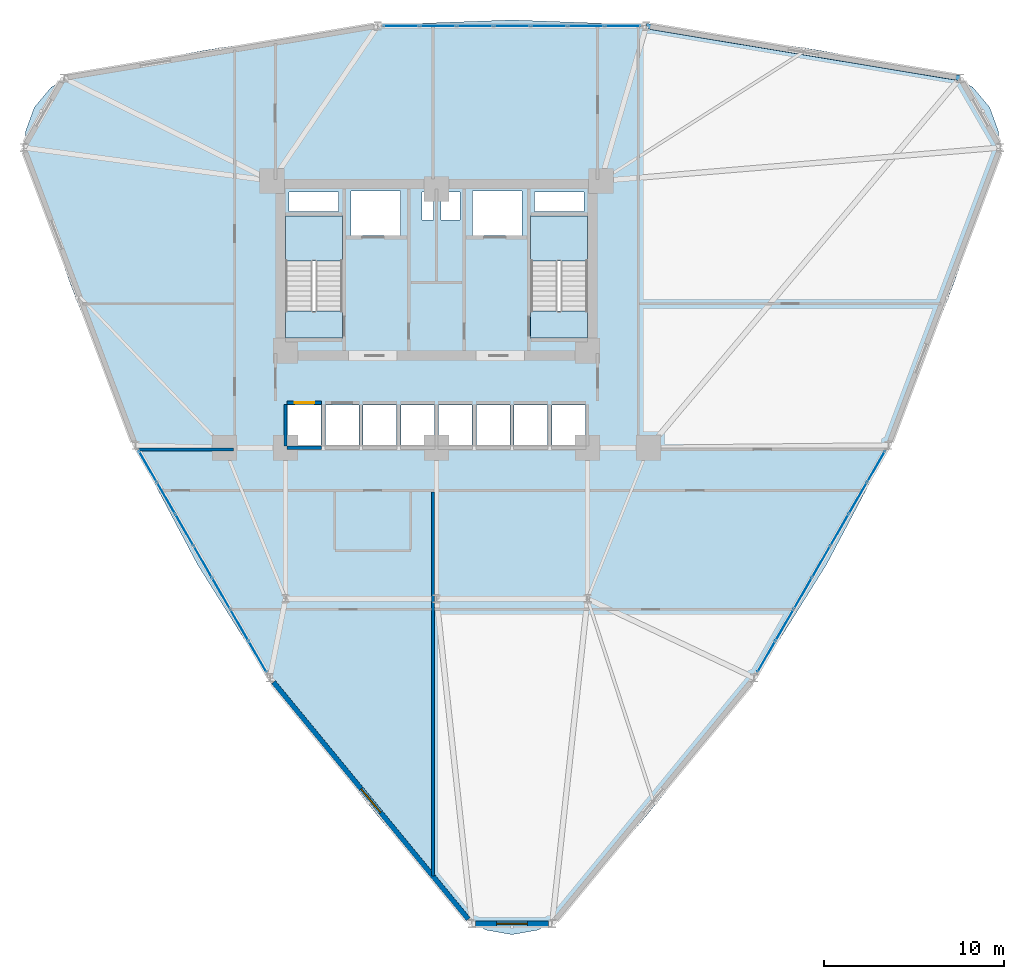
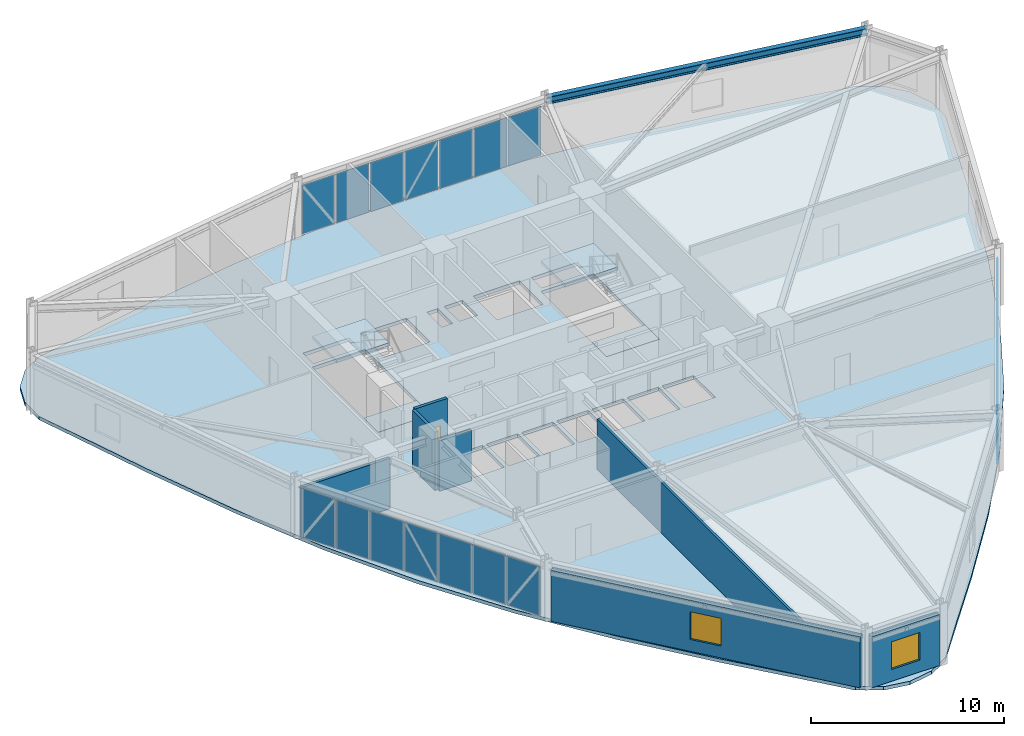
# One storey, part 13 of 20: 21 plates, 7 walls, 5 slabs, 2 windows, 1 beam, 1 door, 3 openings, 5 elements without a shape of their own.
"""IFC4 building model written with IfcOpenShell, lengths in metres."""

from ifc_helpers import new_model, si_unit, derived_unit, direction, frame, frame_2d, origin, origin_2d, place, context, subcontext, project, spatial, polyline, rectangle, i_section, outline, extrude, source, transform, mapped, material, layer, layer_set, material_profile, profile_set, type_object, element, fill, aggregate, save


model = new_model("IFC4")

# Units and contexts
model_context = context("Model", 3, precision=1e-05, world=origin(), true_north=direction((0.0, 1.0)))
body_context = subcontext(model_context, "Body", "Model", "MODEL_VIEW")
ifc_project = project(units=[si_unit("LENGTHUNIT", "METRE"), si_unit("AREAUNIT", "SQUARE_METRE"), si_unit("VOLUMEUNIT", "CUBIC_METRE"), si_unit("PLANEANGLEUNIT", "RADIAN"), si_unit("MASSUNIT", "GRAM", prefix="KILO"), derived_unit("THERMALTRANSMITTANCEUNIT", [(si_unit("POWERUNIT", "WATT"), 1), (si_unit("LENGTHUNIT", "METRE"), -2), (si_unit("THERMODYNAMICTEMPERATUREUNIT", "KELVIN"), -1)])], contexts=[model_context])

# Site, building, storey
site_placement = place(None, origin())
site = spatial("IfcSite", under=ifc_project, at=site_placement, CompositionType="ELEMENT")
building_placement = place(site_placement, origin())
building = spatial("IfcBuilding", under=site, at=building_placement, Name="Korsvarv Bourse and Concert Hall", CompositionType="ELEMENT")
storey_placement = place(building_placement, frame((0.0, 0.0, 79.5)))
storey = spatial("IfcBuildingStorey", under=building, at=storey_placement, Name="L19", CompositionType="ELEMENT", Elevation=79.5)

# Beam
ifc_material_1 = material(Name="Steel S355", Category="steel")
ifc_material_profile = material_profile(ifc_material_1, i_section(OverallWidth=0.300048828125, OverallDepth=0.449951171875, WebThickness=0.013916015625, FlangeThickness=0.02587890625, FilletRadius=0.02099609375, at=origin_2d()), Name="HEB 450")
ifc_profile_set = profile_set([ifc_material_profile], Name="Steel S355")
beam_type = type_object("IfcBeamType", Name="BM-HEB450", PredefinedType="SPANDREL", material=ifc_profile_set)
shared_shape_1 = source(origin(), body_context, "Body", "SweptSolid", [
    extrude(i_section(OverallWidth=0.300048828125, OverallDepth=0.449951171875, WebThickness=0.013916015625, FlangeThickness=0.02587890625, FilletRadius=0.02099609375, at=origin_2d()), origin(), (0.0, 0.0, 1.0), 17.69775390625),
])
beam_placement = place(storey_placement, frame((65.1279296875, 52.971923828125, 3.455078125), z_axis=(-0.986522993276, 0.163622687109, 0.0), x_axis=(-0.163622687109, -0.986522993276, 0.0)))
element("IfcBeam", 1, at=beam_placement, inside=storey, type_object=beam_type, Name="L19 beam B-08", PredefinedType="SPANDREL", context=body_context, shape_type="MappedRepresentation", body=[
    mapped(shared_shape_1, transform((0.0, 0.0, 0.0), scale=1.0)),
])

# Slabs
ifc_material_2 = material(Name="Precast concrete C45/55", Category="concrete")
ifc_layer_1 = layer(ifc_material_2, 0.199951171875)
ifc_layer_set_1 = layer_set([ifc_layer_1], Name="Precast concrete C45/55")
slab_type_1 = type_object("IfcSlabType", Name="SLB-FLND-T", PredefinedType="LANDING", material=ifc_layer_set_1)
slab_1_placement = place(storey_placement, frame((0.0, 0.0, -0.199951171875)))
element("IfcSlab", 2, at=slab_1_placement, inside=storey, type_object=slab_type_1, Name="L19 Stair ST-T1 Floor Landing Slab", PredefinedType="LANDING", context=body_context, shape_type="SweptSolid", body=[
    extrude(outline(polyline([(30.760009765625, 38.5), (30.760009765625, 40.0), (27.60009765625, 40.0), (27.60009765625, 38.5), (30.760009765625, 38.5)])), origin(), (0.0, 0.0, 1.0), 0.199951171875),
])
slab_2_placement = place(storey_placement, frame((0.0, 0.0, -0.199951171875)))
element("IfcSlab", 3, at=slab_2_placement, inside=storey, type_object=slab_type_1, Name="L19 Stair ST-T2 Floor Landing Slab", PredefinedType="LANDING", context=body_context, shape_type="SweptSolid", body=[
    extrude(outline(polyline([(44.39990234375, 38.5), (44.39990234375, 40.0), (41.239990234375, 40.0), (41.239990234375, 38.5), (44.39990234375, 38.5)])), origin(), (0.0, 0.0, 1.0), 0.199951171875),
])

# Stair, slab
stair_type = type_object("IfcStairType", Name="STR-TYPE-03", PredefinedType="HALF_TURN_STAIR", material=ifc_material_2)
stair_1_placement = place(storey_placement, origin())
stair_1 = element("IfcStair", 4, at=stair_1_placement, inside=storey, type_object=stair_type, Name="L19 Tower West Exit Stair ST-T1", PredefinedType="HALF_TURN_STAIR")
ifc_layer_2 = layer(ifc_material_2, 0.199951171875)
ifc_layer_set_2 = layer_set([ifc_layer_2], Name="Precast concrete C45/55")
slab_type_2 = type_object("IfcSlabType", Name="SLB-ST-LND", PredefinedType="LANDING", material=ifc_layer_set_2)
slab_3_placement = place(storey_placement, frame((0.0, 0.0, 1.75)))
slab_3 = element("IfcSlab", 5, at=slab_3_placement, type_object=slab_type_2, Name="ST-T1 landing 1", PredefinedType="LANDING", context=body_context, shape_type="SweptSolid", body=[
    extrude(outline(polyline([(30.760009765625, 42.800048828125), (30.760009765625, 45.300048828125), (27.60009765625, 45.300048828125), (27.60009765625, 42.800048828125), (30.760009765625, 42.800048828125)])), origin(), (0.0, 0.0, 1.0), 0.199951171875),
])
aggregate(stair_1, [slab_3])

stair_2_placement = place(storey_placement, origin())
stair_2 = element("IfcStair", 6, at=stair_2_placement, inside=storey, type_object=stair_type, Name="L19 Tower East Exit Stair ST-T2", PredefinedType="HALF_TURN_STAIR")
slab_4_placement = place(storey_placement, frame((0.0, 0.0, 1.75)))
slab_4 = element("IfcSlab", 7, at=slab_4_placement, type_object=slab_type_2, Name="ST-T2 landing 1", PredefinedType="LANDING", context=body_context, shape_type="SweptSolid", body=[
    extrude(outline(polyline([(44.39990234375, 42.800048828125), (44.39990234375, 45.300048828125), (41.239990234375, 45.300048828125), (41.239990234375, 42.800048828125), (44.39990234375, 42.800048828125)])), origin(), (0.0, 0.0, 1.0), 0.199951171875),
])
aggregate(stair_2, [slab_4])

# Slab
ifc_material_3 = material(Name="Concrete C45/55", Category="concrete")
ifc_layer_3 = layer(ifc_material_3, 0.219970703125)
ifc_layer_set_3 = layer_set([ifc_layer_3], Name="Concrete C45/55")
slab_type_3 = type_object("IfcSlabType", Name="SLB-TW1", PredefinedType="FLOOR", material=ifc_layer_set_3)
slab_5_placement = place(storey_placement, frame((0.0, 0.0, -0.219970703125)))
element("IfcSlab", 8, at=slab_5_placement, inside=storey, type_object=slab_type_3, Name="L19 tower structural floor slab", PredefinedType="FLOOR", context=body_context, shape_type="SweptSolid", body=[
    extrude(outline(polyline([(66.72119140625, 46.99462890625), (64.767822265625, 41.513427734375), (62.68408203125, 36.133056640625), (60.353271484375, 30.916015625), (57.695556640625, 25.89892578125), (54.679443359375, 21.0888671875), (51.326904296875, 16.461669921875), (47.708984375, 11.966796875), (43.939208984375, 7.53466796875), (43.935302734375, 7.530029296875), (42.8984375, 6.29443359375), (41.6357421875, 5.5654296875), (40.199951171875, 5.312255859375), (38.76416015625, 5.5654296875), (37.501708984375, 6.29443359375), (36.464599609375, 7.530029296875), (36.4609375, 7.53466796875), (32.69091796875, 11.966796875), (29.0732421875, 16.461669921875), (25.720458984375, 21.0888671875), (22.70458984375, 25.89892578125), (20.046875, 30.916015625), (17.7158203125, 36.133056640625), (15.632080078125, 41.513427734375), (13.6787109375, 46.99462890625), (13.6767578125, 47.000244140625), (13.125, 48.51611328125), (13.125, 49.973876953125), (13.623779296875, 51.34375), (14.560791015625, 52.460693359375), (15.823486328125, 53.189697265625), (17.412109375, 53.4697265625), (17.417724609375, 53.470703125), (23.141357421875, 54.51953125), (28.842529296875, 55.4052734375), (34.5263671875, 55.995361328125), (40.199951171875, 56.201904296875), (45.873779296875, 55.995361328125), (51.557373046875, 55.4052734375), (57.2587890625, 54.51953125), (62.982177734375, 53.470703125), (62.988037109375, 53.4697265625), (64.57666015625, 53.189697265625), (65.839111328125, 52.460693359375), (66.7763671875, 51.34375), (67.27490234375, 49.973876953125), (67.27490234375, 48.51611328125), (66.723388671875, 47.000244140625), (66.72119140625, 46.99462890625)]), holes=[polyline([(30.760009765625, 38.5), (30.760009765625, 45.300048828125), (27.60009765625, 45.300048828125), (27.60009765625, 38.5), (30.760009765625, 38.5)]), polyline([(44.39990234375, 38.5), (44.39990234375, 45.300048828125), (41.239990234375, 45.300048828125), (41.239990234375, 38.5), (44.39990234375, 38.5)]), polyline([(31.239990234375, 44.219970703125), (34.0, 44.219970703125), (34.0, 46.679931640625), (31.239990234375, 46.679931640625), (31.239990234375, 44.219970703125)]), polyline([(38.0, 44.219970703125), (40.760009765625, 44.219970703125), (40.760009765625, 46.679931640625), (38.0, 46.679931640625), (38.0, 44.219970703125)]), polyline([(27.719970703125, 32.52001953125), (29.580078125, 32.52001953125), (29.580078125, 34.780029296875), (27.719970703125, 34.780029296875), (27.719970703125, 32.52001953125)]), polyline([(29.820068359375, 32.52001953125), (31.679931640625, 32.52001953125), (31.679931640625, 34.780029296875), (29.820068359375, 34.780029296875), (29.820068359375, 32.52001953125)]), polyline([(31.919921875, 32.52001953125), (33.780029296875, 32.52001953125), (33.780029296875, 34.780029296875), (31.919921875, 34.780029296875), (31.919921875, 32.52001953125)]), polyline([(34.02001953125, 32.52001953125), (35.8798828125, 32.52001953125), (35.8798828125, 34.780029296875), (34.02001953125, 34.780029296875), (34.02001953125, 32.52001953125)]), polyline([(36.1201171875, 32.52001953125), (37.97998046875, 32.52001953125), (37.97998046875, 34.780029296875), (36.1201171875, 34.780029296875), (36.1201171875, 32.52001953125)]), polyline([(38.219970703125, 32.52001953125), (40.080078125, 32.52001953125), (40.080078125, 34.780029296875), (38.219970703125, 34.780029296875), (38.219970703125, 32.52001953125)]), polyline([(40.320068359375, 32.52001953125), (42.179931640625, 32.52001953125), (42.179931640625, 34.780029296875), (40.320068359375, 34.780029296875), (40.320068359375, 32.52001953125)]), polyline([(42.419921875, 32.52001953125), (44.280029296875, 32.52001953125), (44.280029296875, 34.780029296875), (42.419921875, 34.780029296875), (42.419921875, 32.52001953125)]), polyline([(27.800048828125, 45.56005859375), (30.56005859375, 45.56005859375), (30.56005859375, 46.6201171875), (27.800048828125, 46.6201171875), (27.800048828125, 45.56005859375)]), polyline([(41.43994140625, 45.56005859375), (44.199951171875, 45.56005859375), (44.199951171875, 46.6201171875), (41.43994140625, 46.6201171875), (41.43994140625, 45.56005859375)]), polyline([(35.199951171875, 45.080078125), (35.840087890625, 45.080078125), (35.840087890625, 46.6201171875), (35.199951171875, 46.6201171875), (35.199951171875, 45.080078125)]), polyline([(36.239990234375, 45.080078125), (37.320068359375, 45.080078125), (37.320068359375, 46.6201171875), (36.239990234375, 46.6201171875), (36.239990234375, 45.080078125)])]), origin(), (0.0, 0.0, 1.0), 0.219970703125),
])

# Curtain wall, plates
ifc_material_4 = material(Name="Anodised aluminium and triple low-E glazing", Category="glass")
ifc_layer_4 = layer(ifc_material_4, 0.219970703125)
ifc_layer_set_4 = layer_set([ifc_layer_4], Name="Anodised aluminium and triple low-E glazing")
curtain_wall_type = type_object("IfcCurtainWallType", Name="CW-SYS-1", PredefinedType="NOTDEFINED", material=ifc_layer_set_4)
curtain_wall_1_placement = place(storey_placement, origin())
curtain_wall_1 = element("IfcCurtainWall", 9, at=curtain_wall_1_placement, inside=storey, type_object=curtain_wall_type, Name="L19 CW1 curtain wall CW-L19-F03", PredefinedType="NOTDEFINED")
ifc_material_5 = material(Name="Insulated spandrel glass", Category="glass")
ifc_layer_5 = layer(ifc_material_5, 0.031982421875)
ifc_layer_set_5 = layer_set([ifc_layer_5], Name="Insulated spandrel glass")
plate_type_1 = type_object("IfcPlateType", Name="CWP-SPD1", PredefinedType="CURTAIN_PANEL", material=ifc_layer_set_5)
shared_shape_2 = source(origin(), body_context, "Body", "SweptSolid", [
    extrude(rectangle(XDim=1.9541015625, YDim=0.031982421875, at=origin_2d()), origin(), (0.0, 0.0, 1.0), 3.10009765625),
])
plate_1_placement = place(storey_placement, frame((46.359619140625, 55.86767578125, 0.06494140625), z_axis=(0.0, 0.0, 1.0), x_axis=(-1.0, 0.0, 0.0)))
plate_1 = element("IfcPlate", 10, at=plate_1_placement, type_object=plate_type_1, Name="CW1 spandrel shadow-box panel 1.1", PredefinedType="CURTAIN_PANEL", context=body_context, shape_type="MappedRepresentation", body=[
    mapped(shared_shape_2, transform((0.0, 0.0, 0.0), scale=1.0)),
])
plate_2_placement = place(storey_placement, frame((34.040283203125, 55.86767578125, 0.06494140625), z_axis=(0.0, 0.0, 1.0), x_axis=(-1.0, 0.0, 0.0)))
plate_2 = element("IfcPlate", 11, at=plate_2_placement, type_object=plate_type_1, Name="CW1 spandrel shadow-box panel 7.1", PredefinedType="CURTAIN_PANEL", context=body_context, shape_type="MappedRepresentation", body=[
    mapped(shared_shape_2, transform((0.0, 0.0, 0.0), scale=1.0)),
])
ifc_material_6 = material(Name="Tempered triple insulated low-E architectural glass", Category="glass")
ifc_layer_6 = layer(ifc_material_6, 0.035888671875)
ifc_layer_set_6 = layer_set([ifc_layer_6], Name="Tempered triple insulated low-E architectural glass")
plate_type_2 = type_object("IfcPlateType", Name="CWP-VIS1", PredefinedType="CURTAIN_PANEL", material=ifc_layer_set_6)
shared_shape_3 = source(origin(), body_context, "Body", "SweptSolid", [
    extrude(rectangle(XDim=1.989013671875, YDim=0.035888671875, at=origin_2d()), origin(), (0.0, 0.0, 1.0), 3.10009765625),
])
plate_3_placement = place(storey_placement, frame((44.318115234375, 55.86767578125, 0.06494140625), z_axis=(0.0, 0.0, 1.0), x_axis=(-1.0, 0.0, 0.0)))
plate_3 = element("IfcPlate", 12, at=plate_3_placement, type_object=plate_type_2, Name="CW1 faceted panel 2.1", PredefinedType="CURTAIN_PANEL", context=body_context, shape_type="MappedRepresentation", body=[
    mapped(shared_shape_3, transform((0.0, 0.0, 0.0), scale=1.0)),
])
plate_4_placement = place(storey_placement, frame((42.259033203125, 55.86767578125, 0.06494140625), z_axis=(0.0, 0.0, 1.0), x_axis=(-1.0, 0.0, 0.0)))
plate_4 = element("IfcPlate", 13, at=plate_4_placement, type_object=plate_type_2, Name="CW1 faceted panel 3.1", PredefinedType="CURTAIN_PANEL", context=body_context, shape_type="MappedRepresentation", body=[
    mapped(shared_shape_3, transform((0.0, 0.0, 0.0), scale=1.0)),
])
plate_5_placement = place(storey_placement, frame((38.140869140625, 55.86767578125, 0.06494140625), z_axis=(0.0, 0.0, 1.0), x_axis=(-1.0, 0.0, 0.0)))
plate_5 = element("IfcPlate", 14, at=plate_5_placement, type_object=plate_type_2, Name="CW1 faceted panel 5.1", PredefinedType="CURTAIN_PANEL", context=body_context, shape_type="MappedRepresentation", body=[
    mapped(shared_shape_3, transform((0.0, 0.0, 0.0), scale=1.0)),
])
plate_6_placement = place(storey_placement, frame((36.081787109375, 55.86767578125, 0.06494140625), z_axis=(0.0, 0.0, 1.0), x_axis=(-1.0, 0.0, 0.0)))
plate_6 = element("IfcPlate", 15, at=plate_6_placement, type_object=plate_type_2, Name="CW1 faceted panel 6.1", PredefinedType="CURTAIN_PANEL", context=body_context, shape_type="MappedRepresentation", body=[
    mapped(shared_shape_3, transform((0.0, 0.0, 0.0), scale=1.0)),
])
shared_shape_4 = source(origin(), body_context, "Body", "SweptSolid", [
    extrude(rectangle(XDim=1.989013671875, YDim=0.031982421875, at=origin_2d()), origin(), (0.0, 0.0, 1.0), 3.10009765625),
])
plate_7_placement = place(storey_placement, frame((40.199951171875, 55.86767578125, 0.06494140625), z_axis=(0.0, 0.0, 1.0), x_axis=(-1.0, 0.0, 0.0)))
plate_7 = element("IfcPlate", 16, at=plate_7_placement, type_object=plate_type_1, Name="CW1 spandrel shadow-box panel 4.1", PredefinedType="CURTAIN_PANEL", context=body_context, shape_type="MappedRepresentation", body=[
    mapped(shared_shape_4, transform((0.0, 0.0, 0.0), scale=1.0)),
])
aggregate(curtain_wall_1, [plate_1, plate_3, plate_4, plate_7, plate_5, plate_6, plate_2])

curtain_wall_2_placement = place(storey_placement, origin())
curtain_wall_2 = element("IfcCurtainWall", 17, at=curtain_wall_2_placement, inside=storey, type_object=curtain_wall_type, Name="L19 CW1 curtain wall CW-L19-F07", PredefinedType="NOTDEFINED")
shared_shape_5 = source(origin(), body_context, "Body", "SweptSolid", [
    extrude(rectangle(XDim=1.934326171875, YDim=0.031982421875, at=origin_2d()), origin(), (0.0, 0.0, 1.0), 3.10009765625),
])
plate_8_placement = place(storey_placement, frame((19.94384765625, 31.34912109375, 0.06494140625), z_axis=(0.0, 0.0, 1.0), x_axis=(0.500002009023, -0.866024243871, 0.0)))
plate_8 = element("IfcPlate", 18, at=plate_8_placement, type_object=plate_type_1, Name="CW1 spandrel shadow-box panel 1.1", PredefinedType="CURTAIN_PANEL", context=body_context, shape_type="MappedRepresentation", body=[
    mapped(shared_shape_5, transform((0.0, 0.0, 0.0), scale=1.0)),
])
plate_9_placement = place(storey_placement, frame((26.044189453125, 20.783203125, 0.06494140625), z_axis=(0.0, 0.0, 1.0), x_axis=(0.500002009023, -0.866024243871, 0.0)))
plate_9 = element("IfcPlate", 19, at=plate_9_placement, type_object=plate_type_1, Name="CW1 spandrel shadow-box panel 7.1", PredefinedType="CURTAIN_PANEL", context=body_context, shape_type="MappedRepresentation", body=[
    mapped(shared_shape_5, transform((0.0, 0.0, 0.0), scale=1.0)),
])

curtain_wall_3_placement = place(storey_placement, origin())
curtain_wall_3 = element("IfcCurtainWall", 20, at=curtain_wall_3_placement, inside=storey, type_object=curtain_wall_type, Name="L19 CW1 curtain wall CW-L19-F11", PredefinedType="NOTDEFINED")
plate_10_placement = place(storey_placement, frame((54.35595703125, 20.783203125, 0.06494140625), z_axis=(0.0, 0.0, 1.0), x_axis=(0.500002009023, 0.866024243871, 0.0)))
plate_10 = element("IfcPlate", 21, at=plate_10_placement, type_object=plate_type_1, Name="CW1 spandrel shadow-box panel 1.1", PredefinedType="CURTAIN_PANEL", context=body_context, shape_type="MappedRepresentation", body=[
    mapped(shared_shape_5, transform((0.0, 0.0, 0.0), scale=1.0)),
])
plate_11_placement = place(storey_placement, frame((60.4560546875, 31.34912109375, 0.06494140625), z_axis=(0.0, 0.0, 1.0), x_axis=(0.500002009023, 0.866024243871, 0.0)))
plate_11 = element("IfcPlate", 22, at=plate_11_placement, type_object=plate_type_1, Name="CW1 spandrel shadow-box panel 7.1", PredefinedType="CURTAIN_PANEL", context=body_context, shape_type="MappedRepresentation", body=[
    mapped(shared_shape_5, transform((0.0, 0.0, 0.0), scale=1.0)),
])

# Plate
shared_shape_6 = source(origin(), body_context, "Body", "SweptSolid", [
    extrude(rectangle(XDim=1.96923828125, YDim=0.035888671875, at=origin_2d()), origin(), (0.0, 0.0, 1.0), 3.10009765625),
])
plate_12_placement = place(storey_placement, frame((20.954833984375, 29.59814453125, 0.06494140625), z_axis=(0.0, 0.0, 1.0), x_axis=(0.500002009023, -0.866024243871, 0.0)))
plate_12 = element("IfcPlate", 23, at=plate_12_placement, type_object=plate_type_2, Name="CW1 faceted panel 2.1", PredefinedType="CURTAIN_PANEL", context=body_context, shape_type="MappedRepresentation", body=[
    mapped(shared_shape_6, transform((0.0, 0.0, 0.0), scale=1.0)),
])

plate_13_placement = place(storey_placement, frame((21.974365234375, 27.832275390625, 0.06494140625), z_axis=(0.0, 0.0, 1.0), x_axis=(0.500002009023, -0.866024243871, 0.0)))
plate_13 = element("IfcPlate", 24, at=plate_13_placement, type_object=plate_type_2, Name="CW1 faceted panel 3.1", PredefinedType="CURTAIN_PANEL", context=body_context, shape_type="MappedRepresentation", body=[
    mapped(shared_shape_6, transform((0.0, 0.0, 0.0), scale=1.0)),
])

plate_14_placement = place(storey_placement, frame((24.013671875, 24.300048828125, 0.06494140625), z_axis=(0.0, 0.0, 1.0), x_axis=(0.500002009023, -0.866024243871, 0.0)))
plate_14 = element("IfcPlate", 25, at=plate_14_placement, type_object=plate_type_2, Name="CW1 faceted panel 5.1", PredefinedType="CURTAIN_PANEL", context=body_context, shape_type="MappedRepresentation", body=[
    mapped(shared_shape_6, transform((0.0, 0.0, 0.0), scale=1.0)),
])

plate_15_placement = place(storey_placement, frame((25.033203125, 22.5341796875, 0.06494140625), z_axis=(0.0, 0.0, 1.0), x_axis=(0.500002009023, -0.866024243871, 0.0)))
plate_15 = element("IfcPlate", 26, at=plate_15_placement, type_object=plate_type_2, Name="CW1 faceted panel 6.1", PredefinedType="CURTAIN_PANEL", context=body_context, shape_type="MappedRepresentation", body=[
    mapped(shared_shape_6, transform((0.0, 0.0, 0.0), scale=1.0)),
])

plate_16_placement = place(storey_placement, frame((55.36669921875, 22.5341796875, 0.06494140625), z_axis=(0.0, 0.0, 1.0), x_axis=(0.500002009023, 0.866024243871, 0.0)))
plate_16 = element("IfcPlate", 27, at=plate_16_placement, type_object=plate_type_2, Name="CW1 faceted panel 2.1", PredefinedType="CURTAIN_PANEL", context=body_context, shape_type="MappedRepresentation", body=[
    mapped(shared_shape_6, transform((0.0, 0.0, 0.0), scale=1.0)),
])

plate_17_placement = place(storey_placement, frame((56.38623046875, 24.300048828125, 0.06494140625), z_axis=(0.0, 0.0, 1.0), x_axis=(0.500002009023, 0.866024243871, 0.0)))
plate_17 = element("IfcPlate", 28, at=plate_17_placement, type_object=plate_type_2, Name="CW1 faceted panel 3.1", PredefinedType="CURTAIN_PANEL", context=body_context, shape_type="MappedRepresentation", body=[
    mapped(shared_shape_6, transform((0.0, 0.0, 0.0), scale=1.0)),
])

plate_18_placement = place(storey_placement, frame((58.425537109375, 27.832275390625, 0.06494140625), z_axis=(0.0, 0.0, 1.0), x_axis=(0.500002009023, 0.866024243871, 0.0)))
plate_18 = element("IfcPlate", 29, at=plate_18_placement, type_object=plate_type_2, Name="CW1 faceted panel 5.1", PredefinedType="CURTAIN_PANEL", context=body_context, shape_type="MappedRepresentation", body=[
    mapped(shared_shape_6, transform((0.0, 0.0, 0.0), scale=1.0)),
])

plate_19_placement = place(storey_placement, frame((59.445068359375, 29.59814453125, 0.06494140625), z_axis=(0.0, 0.0, 1.0), x_axis=(0.500002009023, 0.866024243871, 0.0)))
plate_19 = element("IfcPlate", 30, at=plate_19_placement, type_object=plate_type_2, Name="CW1 faceted panel 6.1", PredefinedType="CURTAIN_PANEL", context=body_context, shape_type="MappedRepresentation", body=[
    mapped(shared_shape_6, transform((0.0, 0.0, 0.0), scale=1.0)),
])

shared_shape_7 = source(origin(), body_context, "Body", "SweptSolid", [
    extrude(rectangle(XDim=1.96923828125, YDim=0.031982421875, at=origin_2d()), origin(), (0.0, 0.0, 1.0), 3.10009765625),
])
plate_20_placement = place(storey_placement, frame((22.994140625, 26.066162109375, 0.06494140625), z_axis=(0.0, 0.0, 1.0), x_axis=(0.500002009023, -0.866024243871, 0.0)))
plate_20 = element("IfcPlate", 31, at=plate_20_placement, type_object=plate_type_1, Name="CW1 spandrel shadow-box panel 4.1", PredefinedType="CURTAIN_PANEL", context=body_context, shape_type="MappedRepresentation", body=[
    mapped(shared_shape_7, transform((0.0, 0.0, 0.0), scale=1.0)),
])

aggregate(curtain_wall_2, [plate_8, plate_12, plate_13, plate_20, plate_14, plate_15, plate_9])

plate_21_placement = place(storey_placement, frame((57.406005859375, 26.066162109375, 0.06494140625), z_axis=(0.0, 0.0, 1.0), x_axis=(0.500002009023, 0.866024243871, 0.0)))
plate_21 = element("IfcPlate", 32, at=plate_21_placement, type_object=plate_type_1, Name="CW1 spandrel shadow-box panel 4.1", PredefinedType="CURTAIN_PANEL", context=body_context, shape_type="MappedRepresentation", body=[
    mapped(shared_shape_7, transform((0.0, 0.0, 0.0), scale=1.0)),
])

aggregate(curtain_wall_3, [plate_10, plate_16, plate_17, plate_21, plate_18, plate_19, plate_11])

# Wall, opening, window
ifc_material_7 = material(Name="Precast concrete C45/55 with terracotta rainscreen", Category="concrete")
ifc_layer_7 = layer(ifc_material_7, 0.300048828125)
ifc_layer_set_7 = layer_set([ifc_layer_7], Name="Precast concrete C45/55 with terracotta rainscreen")
wall_type_1 = type_object("IfcWallType", Name="WL-EXT-TC1", PredefinedType="SOLIDWALL", material=ifc_layer_set_7)
wall_1_placement = place(storey_placement, frame((38.182861328125, 5.92578125, 0.0), z_axis=(0.0, 0.0, 1.0), x_axis=(1.0, 0.0, 0.0)))
wall_1 = element("IfcWall", 33, at=wall_1_placement, inside=storey, type_object=wall_type_1, Name="L19 terracotta exterior wall EW-L19-B09", PredefinedType="SOLIDWALL", context=body_context, shape_type="SweptSolid", body=[
    extrude(rectangle(XDim=4.034423828125, YDim=0.300048828125, at=frame_2d((2.01708984375, 0.0))), origin(), (0.0, 0.0, 1.0), 3.22998046875),
])
opening_1_placement = place(wall_1_placement, frame((1.167236328125, 0.0, 0.75)))
opening_1 = element("IfcOpeningElement", 34, at=opening_1_placement, cuts=wall_1, Name="Opening W-01", PredefinedType="OPENING", context=body_context, shape_type="SweptSolid", body=[
    extrude(rectangle(XDim=1.699951171875, YDim=1.75, at=frame_2d((0.85009765625, 0.875))), frame((0.0, 0.16015625, 0.0), z_axis=(0.0, -1.0, 0.0), x_axis=(1.0, 0.0, 0.0)), (0.0, 0.0, 1.0), 0.320068359375),
])
ifc_material_8 = material(Name="Thermally broken aluminium frame with triple low-E glass", Category="glass")
window_type = type_object("IfcWindowType", Name="WIN-TW1", PartitioningType="SINGLE_PANEL", PredefinedType="WINDOW", material=ifc_material_8)
window_1_placement = place(opening_1_placement, origin())
window_1 = element("IfcWindow", 35, at=window_1_placement, inside=storey, type_object=window_type, Name="L19 punched facade window W-01", OverallHeight=1.75, OverallWidth=1.699951171875, PartitioningType="SINGLE_PANEL", PredefinedType="WINDOW", context=body_context, shape_type="SweptSolid", body=[
    extrude(rectangle(XDim=1.699951171875, YDim=1.75, at=frame_2d((0.85009765625, 0.875))), frame((0.0, 0.030029296875, 0.0), z_axis=(0.0, -1.0, 0.0), x_axis=(1.0, 0.0, 0.0)), (0.0, 0.0, 1.0), 0.06005859375),
])
fill(opening_1, window_1)

ifc_material_9 = material(Name="Precast concrete C45/55 with fluted terracotta pier", Category="concrete")
ifc_layer_8 = layer(ifc_material_9, 0.280029296875)
ifc_layer_set_8 = layer_set([ifc_layer_8], Name="Precast concrete C45/55 with fluted terracotta pier")
wall_type_2 = type_object("IfcWallType", Name="WL-EXT-TC2", PredefinedType="SOLIDWALL", material=ifc_layer_set_8)
wall_2_placement = place(storey_placement, frame((26.92724609375, 19.356201171875, 0.0), z_axis=(0.0, 0.0, 1.0), x_axis=(0.634956540438, -0.772547857259, 0.0)))
wall_2 = element("IfcWall", 36, at=wall_2_placement, inside=storey, type_object=wall_type_2, Name="L19 terracotta exterior wall EW-L19-B08", PredefinedType="SOLIDWALL", context=body_context, shape_type="SweptSolid", body=[
    extrude(rectangle(XDim=17.0712890625, YDim=0.280029296875, at=frame_2d((8.53564453125, 0.0))), origin(), (0.0, 0.0, 1.0), 3.22998046875),
])
opening_2_placement = place(wall_2_placement, frame((7.685546875, 0.0, 0.75)))
opening_2 = element("IfcOpeningElement", 37, at=opening_2_placement, cuts=wall_2, Name="Opening W-01", PredefinedType="OPENING", context=body_context, shape_type="SweptSolid", body=[
    extrude(rectangle(XDim=1.699951171875, YDim=1.75, at=frame_2d((0.85009765625, 0.875))), frame((0.0, 0.14990234375, 0.0), z_axis=(0.0, -1.0, 0.0), x_axis=(1.0, 0.0, 0.0)), (0.0, 0.0, 1.0), 0.300048828125),
])
window_2_placement = place(opening_2_placement, origin())
window_2 = element("IfcWindow", 38, at=window_2_placement, inside=storey, type_object=window_type, Name="L19 punched facade window W-01", OverallHeight=1.75, OverallWidth=1.699951171875, PartitioningType="SINGLE_PANEL", PredefinedType="WINDOW", context=body_context, shape_type="SweptSolid", body=[
    extrude(rectangle(XDim=1.699951171875, YDim=1.75, at=frame_2d((0.85009765625, 0.875))), frame((0.0, 0.030029296875, 0.0), z_axis=(0.0, -1.0, 0.0), x_axis=(1.0, 0.0, 0.0)), (0.0, 0.0, 1.0), 0.06005859375),
])
fill(opening_2, window_2)

# Wall
ifc_material_10 = material(Name="Double-stud fire-rated acoustic partition", Category="gypsum")
ifc_layer_9 = layer(ifc_material_10, 0.159912109375)
ifc_layer_set_9 = layer_set([ifc_layer_9], Name="Double-stud fire-rated acoustic partition")
wall_type_3 = type_object("IfcWallType", Name="WL-INT-EI60", PredefinedType="PARTITIONING", material=ifc_layer_set_9)
wall_3_placement = place(storey_placement, frame((19.40625, 32.31494140625, 0.0), z_axis=(0.0, 0.0, 1.0), x_axis=(1.0, 0.0, 0.0)))
element("IfcWall", 39, at=wall_3_placement, inside=storey, type_object=wall_type_3, Name="L19 interior partition wall W-L19-TCOR-07", PredefinedType="PARTITIONING", context=body_context, shape_type="SweptSolid", body=[
    extrude(rectangle(XDim=5.286865234375, YDim=0.159912109375, at=frame_2d((2.6435546875, 0.0))), origin(), (0.0, 0.0, 1.0), 3.179931640625),
])

# Wall, opening, door
ifc_material_11 = material(Name="Gypsum-clad autoclaved concrete shaft wall C30/37", Category="concrete")
ifc_layer_10 = layer(ifc_material_11, 0.179931640625)
ifc_layer_set_10 = layer_set([ifc_layer_10], Name="Gypsum-clad autoclaved concrete shaft wall C30/37")
wall_type_4 = type_object("IfcWallType", Name="WL-INT-EI90", PredefinedType="PARTITIONING", material=ifc_layer_set_10)
wall_4_placement = place(storey_placement, frame((27.68994140625, 34.89990234375, 0.0), z_axis=(0.0, 0.0, 1.0), x_axis=(1.0, 0.0, 0.0)))
wall_4 = element("IfcWall", 40, at=wall_4_placement, inside=storey, type_object=wall_type_4, Name="L19 interior partition wall W-L19-SHFN-PL1", PredefinedType="PARTITIONING", context=body_context, shape_type="SweptSolid", body=[
    extrude(rectangle(XDim=1.920166015625, YDim=0.179931640625, at=frame_2d((0.9599609375, 0.0))), origin(), (0.0, 0.0, 1.0), 3.679931640625),
])
opening_3_placement = place(wall_4_placement, frame((0.409912109375, 0.0, 0.0)))
opening_3 = element("IfcOpeningElement", 41, at=opening_3_placement, cuts=wall_4, Name="Opening LD-2", PredefinedType="OPENING", context=body_context, shape_type="SweptSolid", body=[
    extrude(rectangle(XDim=1.10009765625, YDim=2.10009765625, at=frame_2d((0.550048828125, 1.050048828125))), frame((0.0, 0.10009765625, 0.0), z_axis=(0.0, -1.0, 0.0), x_axis=(1.0, 0.0, 0.0)), (0.0, 0.0, 1.0), 0.199951171875),
])
ifc_material_12 = material(Name="Brushed stainless Steel S355 lift landing door", Category="steel")
door_type = type_object("IfcDoorType", Name="DR-LIFT-P", OperationType="DOUBLE_DOOR_SLIDING", PredefinedType="DOOR", material=ifc_material_12)
door_placement = place(opening_3_placement, origin())
door = element("IfcDoor", 42, at=door_placement, inside=storey, type_object=door_type, Name="L19 lift sliding landing door LD-L19-PL1", OperationType="DOUBLE_DOOR_SLIDING", OverallHeight=2.10009765625, OverallWidth=1.10009765625, PredefinedType="DOOR", context=body_context, shape_type="SweptSolid", body=[
    extrude(rectangle(XDim=1.10009765625, YDim=2.10009765625, at=frame_2d((0.550048828125, 1.050048828125))), frame((0.0, 0.02490234375, 0.0), z_axis=(0.0, -1.0, 0.0), x_axis=(1.0, 0.0, 0.0)), (0.0, 0.0, 1.0), 0.050048828125),
])
fill(opening_3, door)

# Walls
wall_5_placement = place(storey_placement, frame((27.68994140625, 32.39990234375, 0.0), z_axis=(0.0, 0.0, 1.0), x_axis=(1.0, 0.0, 0.0)))
element("IfcWall", 43, at=wall_5_placement, inside=storey, type_object=wall_type_4, Name="L19 interior partition wall W-L19-SHFS-PL1", PredefinedType="PARTITIONING", context=body_context, shape_type="SweptSolid", body=[
    extrude(rectangle(XDim=1.920166015625, YDim=0.179931640625, at=frame_2d((0.9599609375, 0.0))), origin(), (0.0, 0.0, 1.0), 3.179931640625),
])
wall_6_placement = place(storey_placement, frame((27.60009765625, 32.489990234375, 0.0), z_axis=(0.0, 0.0, 1.0), x_axis=(0.0, 1.0, 0.0)))
element("IfcWall", 44, at=wall_6_placement, inside=storey, type_object=wall_type_4, Name="L19 interior partition wall W-L19-SHFW-PL1", PredefinedType="PARTITIONING", context=body_context, shape_type="SweptSolid", body=[
    extrude(rectangle(XDim=2.320068359375, YDim=0.179931640625, at=frame_2d((1.16015625, 0.0))), origin(), (0.0, 0.0, 1.0), 3.679931640625),
])
ifc_material_13 = material(Name="Insulated steel-stud office acoustic partition", Category="gypsum")
ifc_layer_11 = layer(ifc_material_13, 0.139892578125)
ifc_layer_set_11 = layer_set([ifc_layer_11], Name="Insulated steel-stud office acoustic partition")
wall_type_5 = type_object("IfcWallType", Name="WL-INT-P1", PredefinedType="PARTITIONING", material=ifc_layer_set_11)
wall_7_placement = place(storey_placement, frame((35.804931640625, 8.57470703125, 0.0), z_axis=(0.0, 0.0, 1.0), x_axis=(0.0, 1.0, 0.0)))
element("IfcWall", 45, at=wall_7_placement, inside=storey, type_object=wall_type_5, Name="L19 interior partition wall W-L19-TCOR-09", PredefinedType="PARTITIONING", context=body_context, shape_type="SweptSolid", body=[
    extrude(rectangle(XDim=21.368408203125, YDim=0.139892578125, at=frame_2d((10.68408203125, 0.0))), origin(), (0.0, 0.0, 1.0), 3.179931640625),
])

save(model, "model.ifc")
